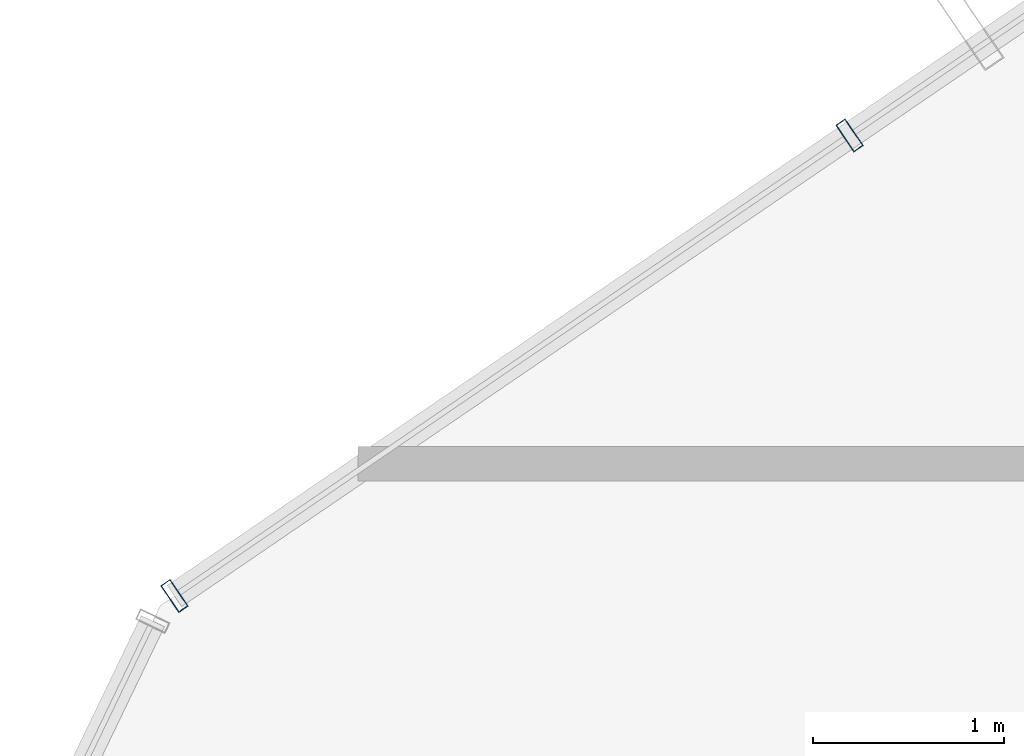
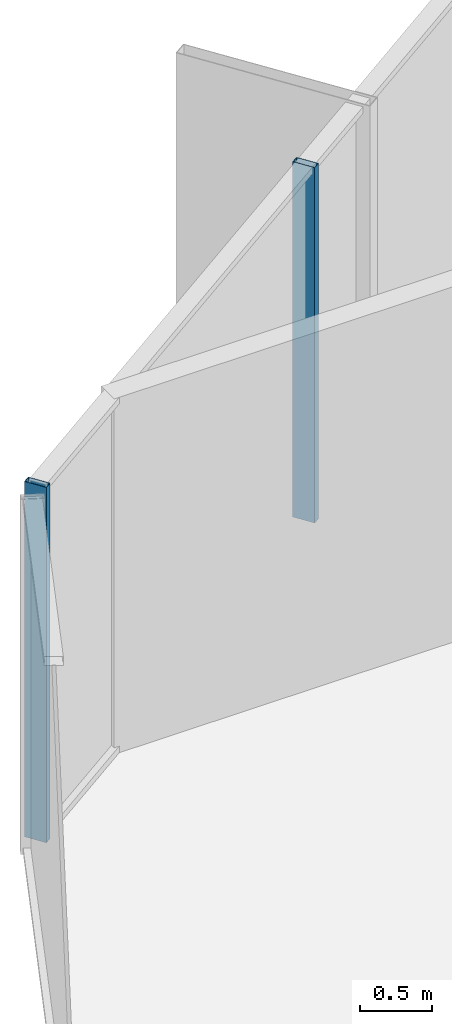
# One storey, part 20 of 35: 2 members, 1 element without a shape of its own.
"""IFC4 building model written with IfcOpenShell, lengths in metres."""

from ifc_helpers import new_model, si_unit, direction, frame, origin, origin_2d, place, context, subcontext, project, spatial, hollow_rectangle, extrude, source, transform, mapped, material, layer, layer_set, material_profile, profile_set, type_object, element, aggregate, save


model = new_model("IFC4")

# Units and contexts
model_context = context("Model", 3, precision=1e-05, world=origin(), true_north=direction((0.0, 1.0)))
body_context = subcontext(model_context, "Body", "Model", "MODEL_VIEW")
ifc_project = project(units=[si_unit("LENGTHUNIT", "METRE"), si_unit("AREAUNIT", "SQUARE_METRE"), si_unit("VOLUMEUNIT", "CUBIC_METRE"), si_unit("PLANEANGLEUNIT", "RADIAN"), si_unit("MASSUNIT", "GRAM", prefix="KILO")], contexts=[model_context])

# Site, building, storey
site_placement = place(None, origin())
site = spatial("IfcSite", under=ifc_project, at=site_placement, CompositionType="ELEMENT")
building_placement = place(site_placement, origin())
building = spatial("IfcBuilding", under=site, at=building_placement, Name="Veraguas Prism Commons", CompositionType="ELEMENT")
storey_placement = place(building_placement, frame((0.0, 0.0, 142.5)))
storey = spatial("IfcBuildingStorey", under=building, at=storey_placement, Name="L40", CompositionType="ELEMENT", Elevation=142.5)

# Curtain wall, members
ifc_material = material(Name="Anodised aluminium EN AW-6063 T6", Category="aluminium")
ifc_layer = layer(ifc_material, 0.169921875, Name="Unitised Flush Curtain Wall Zone 2", Category="aluminium")
ifc_layer_set = layer_set([ifc_layer], Name="Anodised aluminium EN AW-6063 T6")
curtain_wall_type = type_object("IfcCurtainWallType", Name="Unitised Flush Curtain Wall Zone 2", PredefinedType="NOTDEFINED", material=ifc_layer_set)
curtain_wall_placement = place(storey_placement, origin())
curtain_wall = element("IfcCurtainWall", 1, at=curtain_wall_placement, inside=storey, type_object=curtain_wall_type, Name="Tower Facade Curtain Wall L40-F2", PredefinedType="NOTDEFINED")
ifc_material_profile = material_profile(ifc_material, hollow_rectangle(XDim=0.06005859375, YDim=0.169921875, WallThickness=0.00390625, at=origin_2d()), Name="AL60X170X4")
ifc_profile_set = profile_set([ifc_material_profile], Name="Anodised aluminium EN AW-6063 T6")
member_type = type_object("IfcMemberType", Name="Curtain Wall Mullion Lower AL 60x170x4", PredefinedType="MULLION", material=ifc_profile_set)
shared_shape = source(origin(), body_context, "Body", "SweptSolid", [
    extrude(hollow_rectangle(XDim=0.06005859375, YDim=0.169921875, WallThickness=0.00390625, at=origin_2d()), origin(), (0.0, 0.0, 1.0), 3.0),
])
member_1_placement = place(storey_placement, frame((9.630859375, 37.418701171875, 0.0), z_axis=(0.0, 0.0, 1.0), x_axis=(-0.826097310956, -0.56352749075, 0.0)))
member_1 = element("IfcMember", 2, at=member_1_placement, type_object=member_type, Name="CW-Z2 Mullion 4", PredefinedType="MULLION", context=body_context, shape_type="MappedRepresentation", body=[
    mapped(shared_shape, transform((0.0, 0.0, 0.0), scale=1.0)),
])
member_2_placement = place(storey_placement, frame((6.096435546875, 35.007568359375, 0.0), z_axis=(0.0, 0.0, 1.0), x_axis=(-0.826097310956, -0.56352749075, 0.0)))
member_2 = element("IfcMember", 3, at=member_2_placement, type_object=member_type, Name="CW-Z2 Mullion 5", PredefinedType="MULLION", context=body_context, shape_type="MappedRepresentation", body=[
    mapped(shared_shape, transform((0.0, 0.0, 0.0), scale=1.0)),
])
aggregate(curtain_wall, [member_1, member_2])

save(model, "model.ifc")
